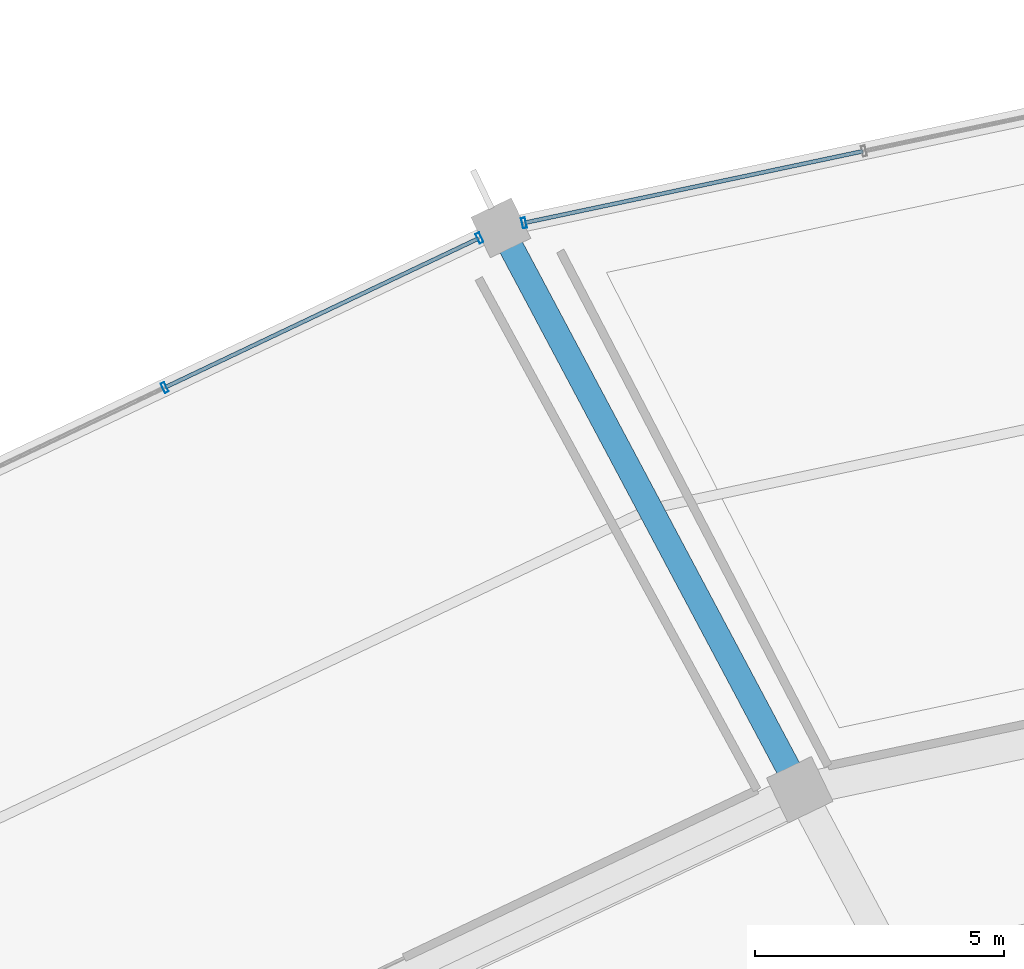
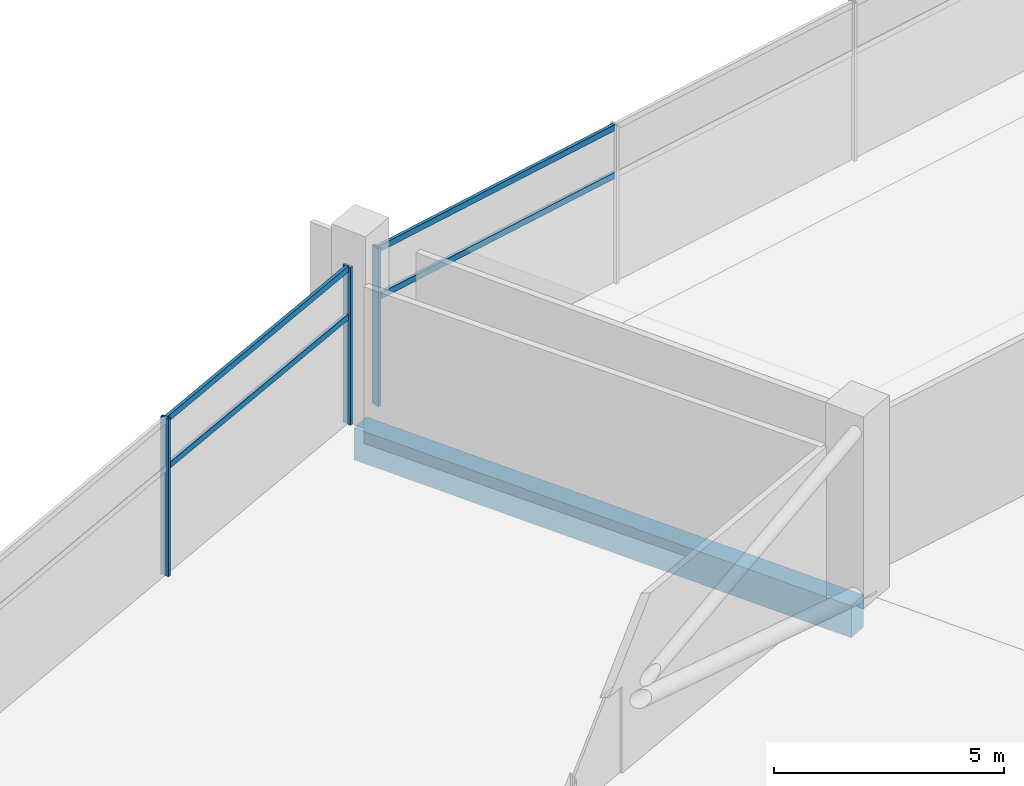
# One storey, part 104 of 184: 7 members, 1 beam, 2 elements without a shape of their own.
"""IFC4 building model written with IfcOpenShell, lengths in metres."""

import ifcopenshell
import ifcopenshell.guid

model = None  # the IFC model being written
_history = None  # IfcOwnerHistory: only IFC2X3 demands one
_inside = {}  # id of a spatial element -> (the spatial element, [elements in it])
_under = {}  # id of a project, library or spatial element -> (it, [spatial elements below it])
_declared = {}  # id of a project -> (the project, [libraries it declares])
_typed = {}  # id of a type object -> (the type object, [elements of that type])
_made_of = {}  # id of a material, layer set ... -> (it, [elements and type objects made of it])


def new_model(schema):
    """Start an empty IFC model of exactly this schema.

    Asked for "IFC4X3", IfcOpenShell would pick the latest addendum, in which some entities
    have other attributes; the version numbers below select the first issue.
    IFC2X3 requires an IfcOwnerHistory on every rooted entity: one is made here for all.
    """
    global model, _history
    if schema == "IFC4X3":
        model = ifcopenshell.file(schema_version=(4, 3, 0, 0))
    else:
        model = ifcopenshell.file(schema=schema)
    _inside.clear()
    _under.clear()
    _declared.clear()
    _typed.clear()
    _made_of.clear()
    _history = None
    if model.schema == "IFC2X3":
        org = make("IfcOrganization", Name="unknown")
        user = make(
            "IfcPersonAndOrganization",
            ThePerson=make("IfcPerson", FamilyName="unknown"),
            TheOrganization=org,
        )
        app = make(
            "IfcApplication",
            ApplicationDeveloper=org,
            Version="unknown",
            ApplicationFullName="unknown",
            ApplicationIdentifier="unknown",
        )
        _history = make(
            "IfcOwnerHistory",
            OwningUser=user,
            OwningApplication=app,
            ChangeAction="ADDED",
            CreationDate=0,
        )
    return model


def make(cls, **values):
    """One entity of the class cls with the attributes given. An attribute that is None is left unset."""
    return model.create_entity(
        cls, **{name: value for name, value in values.items() if value is not None}
    )


def rooted(cls, **values):
    """An entity with a GlobalId (a new one), such as an element, a storey or a relation."""
    return make(cls, GlobalId=ifcopenshell.guid.new(), OwnerHistory=_history, **values)


def si_unit(unit_type, name, prefix=None):
    """IfcSIUnit, for example si_unit("LENGTHUNIT", "METRE", prefix="MILLI")."""
    return make("IfcSIUnit", UnitType=unit_type, Prefix=prefix, Name=name)


def assignment(units):
    """IfcUnitAssignment: the units of a project."""
    return None if units is None else make("IfcUnitAssignment", Units=units)


def point(xyz):
    """IfcCartesianPoint."""
    return None if xyz is None else make("IfcCartesianPoint", Coordinates=xyz)


def direction(xyz):
    """IfcDirection."""
    return None if xyz is None else make("IfcDirection", DirectionRatios=xyz)


def frame(location, z_axis=None, x_axis=None):
    """IfcAxis2Placement3D, a coordinate frame: its origin and axes. An axis left out is left unset."""
    return make(
        "IfcAxis2Placement3D",
        Location=point(location),
        Axis=direction(z_axis),
        RefDirection=direction(x_axis),
    )


def frame_2d(location, x_axis=None):
    """IfcAxis2Placement2D, a coordinate frame in the plane: its origin and x axis."""
    return make(
        "IfcAxis2Placement2D", Location=point(location), RefDirection=direction(x_axis)
    )


def origin():
    """The frame at (0, 0, 0) with its axes left unset."""
    return frame((0.0, 0.0, 0.0))


def origin_2d():
    """The frame at (0, 0) in the plane with its x axis left unset."""
    return frame_2d((0.0, 0.0))


def place(relative_to, where):
    """IfcLocalPlacement: puts the frame where relative to a parent placement (None: the world)."""
    return make(
        "IfcLocalPlacement", PlacementRelTo=relative_to, RelativePlacement=where
    )


def context(
    kind, dimensions, precision=None, world=None, true_north=None, identifier=None
):
    """IfcGeometricRepresentationContext, for example the 3D "Model" context."""
    return make(
        "IfcGeometricRepresentationContext",
        ContextIdentifier=identifier,
        ContextType=kind,
        CoordinateSpaceDimension=dimensions,
        Precision=precision,
        WorldCoordinateSystem=world,
        TrueNorth=true_north,
    )


def subcontext(parent, identifier, kind, view, scale=None):
    """IfcGeometricRepresentationSubContext, for example "Body" below "Model"."""
    return make(
        "IfcGeometricRepresentationSubContext",
        ContextIdentifier=identifier,
        ContextType=kind,
        ParentContext=parent,
        TargetScale=scale,
        TargetView=view,
    )


def project(units=None, contexts=None):
    """IfcProject with its units and contexts."""
    return rooted(
        "IfcProject",
        Name="project",
        RepresentationContexts=contexts,
        UnitsInContext=assignment(units),
    )


def spatial(cls, under=None, at=None, **own):
    """A site, building, storey or space (cls), placed at a placement, below another one or the project."""
    s = rooted(cls, ObjectPlacement=at, **own)
    if under is not None:
        _under.setdefault(under.id(), (under, []))[1].append(s)
    return s


def profile(cls, at=None, kind="AREA", **sizes):
    """A parametric profile (cls). Its sizes go by their IFC names, for example OverallWidth=200.0."""
    return make(cls, ProfileType=kind, Position=at, **sizes)


def rectangle(**sizes):
    """IfcRectangleProfileDef."""
    return profile("IfcRectangleProfileDef", **sizes)


def hollow_rectangle(**sizes):
    """IfcRectangleHollowProfileDef."""
    return profile("IfcRectangleHollowProfileDef", **sizes)


def extrude(swept, where, along, depth):
    """IfcExtrudedAreaSolid: the profile swept, set in the frame where, extruded along a direction by depth."""
    return make(
        "IfcExtrudedAreaSolid",
        SweptArea=swept,
        Position=where,
        ExtrudedDirection=direction(along),
        Depth=depth,
    )


def shape(context_of_items, identifier, shape_type, items):
    """IfcShapeRepresentation: the items that make up one representation, for example the "Body"."""
    return make(
        "IfcShapeRepresentation",
        ContextOfItems=context_of_items,
        RepresentationIdentifier=identifier,
        RepresentationType=shape_type,
        Items=items,
    )


def material(Name=None, Category=None):
    """IfcMaterial."""
    return make("IfcMaterial", Name=Name, Category=Category)


def layer(
    of_material, thickness, ventilated=None, Name=None, Category=None, Priority=None
):
    """IfcMaterialLayer: one layer of a wall or slab, of a material (None: an air gap)."""
    return make(
        "IfcMaterialLayer",
        Material=of_material,
        LayerThickness=thickness,
        IsVentilated=ventilated,
        Name=Name,
        Category=Category,
        Priority=Priority,
    )


def layer_set(layers, Name=None):
    """IfcMaterialLayerSet."""
    return make("IfcMaterialLayerSet", MaterialLayers=layers, LayerSetName=Name)


def material_profile(
    of_material, cross_section, Name=None, Category=None, Priority=None
):
    """IfcMaterialProfile: a cross section and its material."""
    return make(
        "IfcMaterialProfile",
        Name=Name,
        Material=of_material,
        Profile=cross_section,
        Priority=Priority,
        Category=Category,
    )


def profile_set(profiles, Name=None, composite=None):
    """IfcMaterialProfileSet."""
    return make(
        "IfcMaterialProfileSet",
        Name=Name,
        MaterialProfiles=profiles,
        CompositeProfile=composite,
    )


def made_of(thing, what):
    """Note that an element or type object is made of a material, layer set ...; save() writes the relation."""
    if what is not None:
        _made_of.setdefault(what.id(), (what, []))[1].append(thing)
    return thing


def type_object(cls, material=None, **own):
    """A type object (cls), such as IfcWallType, which elements share."""
    return made_of(rooted(cls, **own), material)


def element(
    cls,
    number,
    at=None,
    inside=None,
    cuts=None,
    type_object=None,
    material=None,
    context=None,
    identifier="Body",
    shape_type=None,
    held_by="IfcProductDefinitionShape",
    body=None,
    shapes=None,
    **own,
):
    """One element of the class cls, such as IfcWall. Its Tag is "e" and its number.

    at: its placement. inside: the storey or other place that contains it. cuts: it is an
    opening in that element (IfcRelVoidsElement). A single representation is given by context,
    identifier, shape_type and body (its items); several are given by shapes. held_by: the class
    of the entity that holds the representations. save() writes the other relations.
    """
    e = rooted(cls, Tag="e%d" % number, ObjectPlacement=at, **own)
    if body is not None:
        shapes = [shape(context, identifier, shape_type, body)]
    if shapes is not None:
        e.Representation = make(held_by, Representations=shapes)
    if inside is not None:
        _inside.setdefault(inside.id(), (inside, []))[1].append(e)
    if cuts is not None:
        rooted(
            "IfcRelVoidsElement", RelatingBuildingElement=cuts, RelatedOpeningElement=e
        )
    if type_object is not None:
        _typed.setdefault(type_object.id(), (type_object, []))[1].append(e)
    return made_of(e, material)


def aggregate(whole, parts):
    """IfcRelAggregates: a whole, such as a stair, and the parts it consists of."""
    return rooted("IfcRelAggregates", RelatingObject=whole, RelatedObjects=parts)


def save(model, path):
    """Write the relations noted so far, then the file.

    IfcRelAggregates (storeys below a building ...), IfcRelContainedInSpatialStructure (elements
    in a storey), IfcRelDefinesByType, IfcRelAssociatesMaterial and IfcRelDeclares: one each for
    every whole, place, type object, material and project.
    """
    for whole, parts in _under.values():
        aggregate(whole, parts)
    for where, things in _inside.values():
        rooted(
            "IfcRelContainedInSpatialStructure",
            RelatedElements=things,
            RelatingStructure=where,
        )
    for kind, things in _typed.values():
        rooted("IfcRelDefinesByType", RelatedObjects=things, RelatingType=kind)
    for what, things in _made_of.values():
        rooted("IfcRelAssociatesMaterial", RelatedObjects=things, RelatingMaterial=what)
    for by, libraries in _declared.values():
        rooted("IfcRelDeclares", RelatingContext=by, RelatedDefinitions=libraries)
    model.write(path)


model = new_model("IFC4")

# Units and contexts
model_context = context("Model", 3, precision=1e-05, world=origin(), true_north=direction((0.0, 1.0)))
body_context = subcontext(model_context, "Body", "Model", "MODEL_VIEW")
ifc_project = project(units=[si_unit("LENGTHUNIT", "METRE"), si_unit("AREAUNIT", "SQUARE_METRE"), si_unit("VOLUMEUNIT", "CUBIC_METRE"), si_unit("PLANEANGLEUNIT", "RADIAN"), si_unit("MASSUNIT", "GRAM", prefix="KILO")], contexts=[model_context])

# Site, building, storey
site_placement = place(None, origin())
site = spatial("IfcSite", under=ifc_project, at=site_placement, CompositionType="ELEMENT")
building_placement = place(site_placement, origin())
building = spatial("IfcBuilding", under=site, at=building_placement, Name="Kazemori Nagisa Stadium", CompositionType="ELEMENT")
storey_placement = place(building_placement, frame((0.0, 0.0, 10.5400390625)))
storey = spatial("IfcBuildingStorey", under=building, at=storey_placement, Name="L02", CompositionType="ELEMENT", Elevation=10.5400390625)

# Beam
ifc_material_1 = material(Name="Concrete C40/50 (Fc42)", Category="concrete")
ifc_material_profile_1 = material_profile(ifc_material_1, rectangle(XDim=0.5, YDim=0.85009765625, at=origin_2d()), Name="RC-BM-500x850")
ifc_profile_set_1 = profile_set([ifc_material_profile_1], Name="Concrete C40/50 (Fc42)")
beam_type = type_object("IfcBeamType", Name="Beam_BG-RC500X850", PredefinedType="BEAM", material=ifc_profile_set_1)
beam_placement = place(storey_placement, frame((86.18798828125, 171.19921875, -0.68505859375), z_axis=(-0.469648511848, 0.882853484628, 0.0), x_axis=(-0.882853484628, -0.469648511848, 0.0)))
element("IfcBeam", 1, at=beam_placement, inside=storey, type_object=beam_type, Name="Radial girder BG-RC500X850 L02 R2-R3-10", PredefinedType="BEAM", context=body_context, shape_type="SweptSolid", body=[
    extrude(rectangle(XDim=0.5, YDim=0.85009765625, at=origin_2d()), origin(), (0.0, 0.0, 1.0), 12.760009765625),
])

# Curtain wall, member
ifc_material_2 = material(Name="Anodised aluminium 6063-T5", Category="aluminium")
ifc_layer = layer(ifc_material_2, 0.2099609375, Name="Anodised aluminium 6063-T5", Category="aluminium")
ifc_layer_set = layer_set([ifc_layer], Name="Anodised aluminium 6063-T5")
curtain_wall_type = type_object("IfcCurtainWallType", Name="CW_L02R3_105", PredefinedType="USERDEFINED", material=ifc_layer_set)
curtain_wall_1_placement = place(storey_placement, origin())
curtain_wall_1 = element("IfcCurtainWall", 2, at=curtain_wall_1_placement, inside=storey, type_object=curtain_wall_type, Name="Unitised curtain wall CW-L02R3-105 L02", ObjectType="UNITISED CURTAIN WALL", PredefinedType="USERDEFINED")
ifc_material_3 = material(Name="Aluminium 6063-T5 anodised", Category="aluminium")
ifc_material_profile_2 = material_profile(ifc_material_3, hollow_rectangle(XDim=0.080078125, YDim=0.2099609375, WallThickness=0.0048828125, at=origin_2d()), Name="ALU-MULL-80x210x5")
ifc_profile_set_2 = profile_set([ifc_material_profile_2], Name="Aluminium 6063-T5 anodised")
member_type_1 = type_object("IfcMemberType", Name="Mullion_M02", PredefinedType="MULLION", material=ifc_profile_set_2)
member_1_placement = place(storey_placement, frame((80.659912109375, 182.5625, 0.0), z_axis=(0.0, 0.0, 1.0), x_axis=(-0.978344955407, -0.206981033502, 0.0)))
member_1 = element("IfcMember", 3, at=member_1_placement, type_object=member_type_1, Name="Curtain wall mullion CW-L02R3-105-M4", PredefinedType="MULLION", context=body_context, shape_type="SweptSolid", body=[
    extrude(hollow_rectangle(XDim=0.080078125, YDim=0.2099609375, WallThickness=0.0048828125, at=origin_2d()), origin(), (0.0, 0.0, 1.0), 4.18994140625),
])

# Curtain wall, members
curtain_wall_2_placement = place(storey_placement, origin())
curtain_wall_2 = element("IfcCurtainWall", 4, at=curtain_wall_2_placement, inside=storey, type_object=curtain_wall_type, Name="Unitised curtain wall CW-L02R3-105 L02", ObjectType="UNITISED CURTAIN WALL", PredefinedType="USERDEFINED")
member_2_placement = place(storey_placement, frame((79.766357421875, 182.260498046875, 0.0), z_axis=(0.0, 0.0, 1.0), x_axis=(-0.903215892654, -0.429186499388, 0.0)))
member_2 = element("IfcMember", 5, at=member_2_placement, type_object=member_type_1, Name="Curtain wall mullion CW-L02R3-105-M1", PredefinedType="MULLION", context=body_context, shape_type="SweptSolid", body=[
    extrude(hollow_rectangle(XDim=0.080078125, YDim=0.2099609375, WallThickness=0.0048828125, at=origin_2d()), origin(), (0.0, 0.0, 1.0), 4.18994140625),
])
member_3_placement = place(storey_placement, frame((73.45458984375, 179.26123046875, 0.0), z_axis=(0.0, 0.0, 1.0), x_axis=(-0.903215892654, -0.429186499388, 0.0)))
member_3 = element("IfcMember", 6, at=member_3_placement, type_object=member_type_1, Name="Curtain wall mullion CW-L02R3-105-M2", PredefinedType="MULLION", context=body_context, shape_type="SweptSolid", body=[
    extrude(hollow_rectangle(XDim=0.080078125, YDim=0.2099609375, WallThickness=0.0048828125, at=origin_2d()), origin(), (0.0, 0.0, 1.0), 4.18994140625),
])

# Member
ifc_material_profile_3 = material_profile(ifc_material_3, hollow_rectangle(XDim=0.080078125, YDim=0.159912109375, WallThickness=0.00390625, at=origin_2d()), Name="ALU-TRAN-80x160x4")
ifc_profile_set_3 = profile_set([ifc_material_profile_3], Name="Aluminium 6063-T5 anodised")
member_type_2 = type_object("IfcMemberType", Name="Transom_T02", PredefinedType="USERDEFINED", material=ifc_profile_set_3)
member_4_placement = place(storey_placement, frame((87.456298828125, 184.00048828125, 2.84912109375), z_axis=(-0.97834174255, -0.206996219252, 0.0), x_axis=(0.206996219252, -0.97834174255, 0.0)))
member_4 = element("IfcMember", 7, at=member_4_placement, type_object=member_type_2, Name="Curtain wall transom CW-L02R3-105-T3-mid", ObjectType="TRANSOM", PredefinedType="USERDEFINED", context=body_context, shape_type="SweptSolid", body=[
    extrude(hollow_rectangle(XDim=0.080078125, YDim=0.159912109375, WallThickness=0.00390625, at=origin_2d()), origin(), (0.0, 0.0, 1.0), 6.9267578125),
])

member_5_placement = place(storey_placement, frame((87.456298828125, 184.00048828125, 4.119873046875), z_axis=(-0.97834174255, -0.206996219252, 0.0), x_axis=(0.206996219252, -0.97834174255, 0.0)))
member_5 = element("IfcMember", 8, at=member_5_placement, type_object=member_type_2, Name="Curtain wall transom CW-L02R3-105-T3-head", ObjectType="TRANSOM", PredefinedType="USERDEFINED", context=body_context, shape_type="SweptSolid", body=[
    extrude(hollow_rectangle(XDim=0.080078125, YDim=0.159912109375, WallThickness=0.00390625, at=origin_2d()), origin(), (0.0, 0.0, 1.0), 6.9267578125),
])

aggregate(curtain_wall_1, [member_1, member_4, member_5])

member_6_placement = place(storey_placement, frame((79.748291015625, 182.251708984375, 2.84912109375), z_axis=(-0.903221322461, -0.429175072264, 0.0), x_axis=(0.429175072264, -0.903221322461, 0.0)))
member_6 = element("IfcMember", 9, at=member_6_placement, type_object=member_type_2, Name="Curtain wall transom CW-L02R3-105-T1-mid", ObjectType="TRANSOM", PredefinedType="USERDEFINED", context=body_context, shape_type="SweptSolid", body=[
    extrude(hollow_rectangle(XDim=0.080078125, YDim=0.159912109375, WallThickness=0.00390625, at=origin_2d()), origin(), (0.0, 0.0, 1.0), 6.947998046875),
])

member_7_placement = place(storey_placement, frame((79.748291015625, 182.251708984375, 4.119873046875), z_axis=(-0.903221322461, -0.429175072264, 0.0), x_axis=(0.429175072264, -0.903221322461, 0.0)))
member_7 = element("IfcMember", 10, at=member_7_placement, type_object=member_type_2, Name="Curtain wall transom CW-L02R3-105-T1-head", ObjectType="TRANSOM", PredefinedType="USERDEFINED", context=body_context, shape_type="SweptSolid", body=[
    extrude(hollow_rectangle(XDim=0.080078125, YDim=0.159912109375, WallThickness=0.00390625, at=origin_2d()), origin(), (0.0, 0.0, 1.0), 6.947998046875),
])

aggregate(curtain_wall_2, [member_2, member_3, member_6, member_7])

save(model, "model.ifc")
